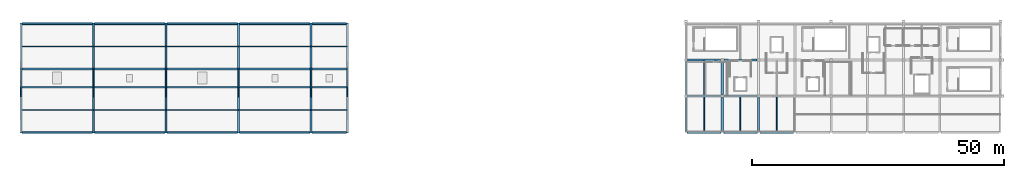
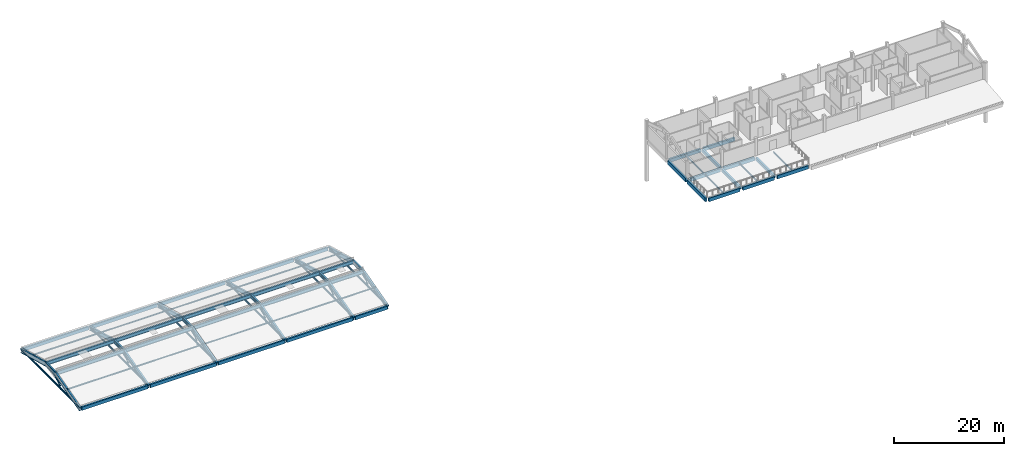
# One storey, part 2 of 8: 54 beams, 28 members.
"""IFC4 building model written with IfcOpenShell, lengths in metres."""

from ifc_helpers import new_model, si_unit, direction, frame, origin, origin_2d, place, context, subcontext, project, spatial, rectangle, hollow_circle, i_section, extrude, material, material_profile, profile_set, type_object, element, save


model = new_model("IFC4")

# Units and contexts
model_context = context("Model", 3, precision=1e-05, world=origin(), true_north=direction((0.0, 1.0)))
body_context = subcontext(model_context, "Body", "Model", "MODEL_VIEW")
ifc_project = project(units=[si_unit("LENGTHUNIT", "METRE"), si_unit("AREAUNIT", "SQUARE_METRE"), si_unit("VOLUMEUNIT", "CUBIC_METRE"), si_unit("PLANEANGLEUNIT", "RADIAN"), si_unit("MASSUNIT", "GRAM", prefix="KILO")], contexts=[model_context])

# Site, building, storey
site_placement = place(None, origin())
site = spatial("IfcSite", under=ifc_project, at=site_placement, CompositionType="ELEMENT")
building_placement = place(site_placement, origin())
building = spatial("IfcBuilding", under=site, at=building_placement, Name="Cendralis Lancet Convention Centre", CompositionType="ELEMENT")
storey_placement = place(building_placement, frame((0.0, 0.0, 24.60009765625)))
storey = spatial("IfcBuildingStorey", under=building, at=storey_placement, Name="L05", CompositionType="ELEMENT", Elevation=24.60009765625)

# Beams
ifc_material_1 = material(Name="Concrete G35 (C35/45)", Category="concrete")
ifc_material_profile_1 = material_profile(ifc_material_1, rectangle(XDim=0.39990234375, YDim=0.75, at=origin_2d()), Name="RCB 400x750")
ifc_profile_set_1 = profile_set([ifc_material_profile_1], Name="Concrete G35 (C35/45)")
beam_type_1 = type_object("IfcBeamType", Name="STR-BM-BG12", PredefinedType="BEAM", material=ifc_profile_set_1)
for number, where, z_axis, x_axis, name in (
    (1, (146.699951171875, 21.60009765625, -0.625), (1.0, 0.0, 0.0), (0.0, 1.0, 0.0), "L05 Beam BG12 #0602"),
    (2, (153.89990234375, 21.60009765625, -0.625), (1.0, 0.0, 0.0), (0.0, 1.0, 0.0), "L05 Beam BG12 #0603"),
    (3, (146.699951171875, 28.800048828125, -0.625), (1.0, 0.0, 0.0), (0.0, 1.0, 0.0), "L05 Beam BG12 #0610"),
    (4, (153.89990234375, 28.800048828125, -0.625), (1.0, 0.0, 0.0), (0.0, 1.0, 0.0), "L05 Beam BG12 #0611"),
):
    element("IfcBeam", number, at=place(storey_placement, frame(where, z_axis=z_axis, x_axis=x_axis)), inside=storey, type_object=beam_type_1, Name=name, PredefinedType="BEAM", context=body_context, shape_type="SweptSolid", body=[
        extrude(rectangle(XDim=0.39990234375, YDim=0.75, at=origin_2d()), origin(), (0.0, 0.0, 1.0), 6.60009765625),
    ])
ifc_material_profile_2 = material_profile(ifc_material_1, rectangle(XDim=0.39990234375, YDim=0.64990234375, at=origin_2d()), Name="RCB 400x650")
ifc_profile_set_2 = profile_set([ifc_material_profile_2], Name="Concrete G35 (C35/45)")
beam_type_2 = type_object("IfcBeamType", Name="STR-BM-BG14", PredefinedType="BEAM", material=ifc_profile_set_2)
for number, where, z_axis, x_axis, name in (
    (5, (153.60009765625, 14.699951171875, -0.5751953125), (0.0, 1.0, 0.0), (-1.0, 0.0, 0.0), "L05 Beam BG14 #0629"),
    (6, (153.60009765625, 21.89990234375, -0.5751953125), (0.0, 1.0, 0.0), (-1.0, 0.0, 0.0), "L05 Beam BG14 #0630"),
    (7, (160.800048828125, 14.699951171875, -0.5751953125), (0.0, 1.0, 0.0), (-1.0, 0.0, 0.0), "L05 Beam BG14 #0631"),
):
    element("IfcBeam", number, at=place(storey_placement, frame(where, z_axis=z_axis, x_axis=x_axis)), inside=storey, type_object=beam_type_2, Name=name, PredefinedType="BEAM", context=body_context, shape_type="SweptSolid", body=[
        extrude(rectangle(XDim=0.39990234375, YDim=0.64990234375, at=origin_2d()), origin(), (0.0, 0.0, 1.0), 6.60009765625),
    ])
ifc_material_2 = material(Name="Steel S355", Category="steel")
ifc_material_profile_3 = material_profile(ifc_material_2, i_section(OverallWidth=0.35009765625, OverallDepth=0.89990234375, WebThickness=0.01611328125, FlangeThickness=0.028076171875, at=origin_2d()), Name="PG 900x350")
ifc_profile_set_3 = profile_set([ifc_material_profile_3], Name="Steel S355")
beam_type_3 = type_object("IfcBeamType", Name="STR-BM-SG05", PredefinedType="BEAM", material=ifc_profile_set_3)
for number, where, z_axis, x_axis, name in (
    (8, (14.39990234375, 14.39990234375, -0.9501953125), (0.0, 0.964882111059, 0.262683291737), (-1.0, 0.0, 0.0), "Summit Pavilion Gothic Rafter SG05 S-01"),
    (9, (14.39990234375, 27.0, 1.5), (0.0, 0.964882111059, -0.262683291737), (-1.0, 0.0, 0.0), "Summit Pavilion Gothic Rafter SG05 N-01"),
    (10, (79.199951171875, 14.39990234375, -0.9501953125), (0.0, 0.964882111059, 0.262683291737), (-1.0, 0.0, 0.0), "Summit Pavilion Gothic Rafter SG05 S-06"),
    (11, (79.199951171875, 27.0, 1.5), (0.0, 0.964882111059, -0.262683291737), (-1.0, 0.0, 0.0), "Summit Pavilion Gothic Rafter SG05 N-06"),
):
    element("IfcBeam", number, at=place(storey_placement, frame(where, z_axis=z_axis, x_axis=x_axis)), inside=storey, type_object=beam_type_3, Name=name, PredefinedType="BEAM", context=body_context, shape_type="SweptSolid", body=[
        extrude(i_section(OverallWidth=0.35009765625, OverallDepth=0.89990234375, WebThickness=0.01611328125, FlangeThickness=0.028076171875, at=origin_2d()), origin(), (0.0, 0.0, 1.0), 9.32763671875),
    ])
ifc_material_profile_4 = material_profile(ifc_material_2, i_section(OverallWidth=0.35009765625, OverallDepth=0.89990234375, WebThickness=0.01611328125, FlangeThickness=0.028076171875, at=origin_2d()), Name="PG 900x350")
ifc_profile_set_4 = profile_set([ifc_material_profile_4], Name="Steel S355")
beam_type_4 = type_object("IfcBeamType", Name="STR-BM-SG05-INT", PredefinedType="BEAM", material=ifc_profile_set_4)
for number, where, z_axis, x_axis, name in (
    (12, (28.800048828125, 14.39990234375, -0.9501953125), (0.0, 0.964882111059, 0.262683291737), (-1.0, 0.0, 0.0), "Summit Pavilion Gothic Rafter SG05 S-02"),
    (13, (28.800048828125, 27.0, 1.5), (0.0, 0.964882111059, -0.262683291737), (-1.0, 0.0, 0.0), "Summit Pavilion Gothic Rafter SG05 N-02"),
    (14, (43.199951171875, 14.39990234375, -0.9501953125), (0.0, 0.964882111059, 0.262683291737), (-1.0, 0.0, 0.0), "Summit Pavilion Gothic Rafter SG05 S-03"),
    (15, (43.199951171875, 27.0, 1.5), (0.0, 0.964882111059, -0.262683291737), (-1.0, 0.0, 0.0), "Summit Pavilion Gothic Rafter SG05 N-03"),
    (16, (57.60009765625, 14.39990234375, -0.9501953125), (0.0, 0.964882111059, 0.262683291737), (-1.0, 0.0, 0.0), "Summit Pavilion Gothic Rafter SG05 S-04"),
    (17, (57.60009765625, 27.0, 1.5), (0.0, 0.964882111059, -0.262683291737), (-1.0, 0.0, 0.0), "Summit Pavilion Gothic Rafter SG05 N-04"),
    (18, (72.0, 14.39990234375, -0.9501953125), (0.0, 0.964882111059, 0.262683291737), (-1.0, 0.0, 0.0), "Summit Pavilion Gothic Rafter SG05 S-05"),
    (19, (72.0, 27.0, 1.5), (0.0, 0.964882111059, -0.262683291737), (-1.0, 0.0, 0.0), "Summit Pavilion Gothic Rafter SG05 N-05"),
):
    element("IfcBeam", number, at=place(storey_placement, frame(where, z_axis=z_axis, x_axis=x_axis)), inside=storey, type_object=beam_type_4, Name=name, PredefinedType="BEAM", context=body_context, shape_type="SweptSolid", body=[
        extrude(i_section(OverallWidth=0.35009765625, OverallDepth=0.89990234375, WebThickness=0.01611328125, FlangeThickness=0.028076171875, at=origin_2d()), origin(), (0.0, 0.0, 1.0), 9.32763671875),
    ])
ifc_material_profile_5 = material_profile(ifc_material_2, i_section(OverallWidth=0.320068359375, OverallDepth=0.800048828125, WebThickness=0.013916015625, FlangeThickness=0.02490234375, at=origin_2d()), Name="PG 800x320")
ifc_profile_set_5 = profile_set([ifc_material_profile_5], Name="Steel S355")
beam_type_5 = type_object("IfcBeamType", Name="STR-BM-SG06", PredefinedType="BEAM", material=ifc_profile_set_5)
beam_1_placement = place(storey_placement, frame((14.39990234375, 23.39990234375, 1.5498046875), z_axis=(1.0, 0.0, 0.0), x_axis=(0.0, 1.0, 0.0)))
element("IfcBeam", 20, at=beam_1_placement, inside=storey, type_object=beam_type_5, Name="L05 Beam SG06 #1802", PredefinedType="BEAM", context=body_context, shape_type="SweptSolid", body=[
    extrude(i_section(OverallWidth=0.320068359375, OverallDepth=0.800048828125, WebThickness=0.013916015625, FlangeThickness=0.02490234375, at=origin_2d()), origin(), (0.0, 0.0, 1.0), 14.400146484375),
])
beam_2_placement = place(storey_placement, frame((28.800048828125, 23.39990234375, 1.5498046875), z_axis=(1.0, 0.0, 0.0), x_axis=(0.0, 1.0, 0.0)))
element("IfcBeam", 21, at=beam_2_placement, inside=storey, type_object=beam_type_5, Name="L05 Beam SG06 #1803", PredefinedType="BEAM", context=body_context, shape_type="SweptSolid", body=[
    extrude(i_section(OverallWidth=0.320068359375, OverallDepth=0.800048828125, WebThickness=0.013916015625, FlangeThickness=0.02490234375, at=origin_2d()), origin(), (0.0, 0.0, 1.0), 14.39990234375),
])
beam_3_placement = place(storey_placement, frame((43.199951171875, 23.39990234375, 1.5498046875), z_axis=(1.0, 0.0, 0.0), x_axis=(0.0, 1.0, 0.0)))
element("IfcBeam", 22, at=beam_3_placement, inside=storey, type_object=beam_type_5, Name="L05 Beam SG06 #1804", PredefinedType="BEAM", context=body_context, shape_type="SweptSolid", body=[
    extrude(i_section(OverallWidth=0.320068359375, OverallDepth=0.800048828125, WebThickness=0.013916015625, FlangeThickness=0.02490234375, at=origin_2d()), origin(), (0.0, 0.0, 1.0), 14.400146484375),
])
beam_4_placement = place(storey_placement, frame((57.60009765625, 23.39990234375, 1.5498046875), z_axis=(1.0, 0.0, 0.0), x_axis=(0.0, 1.0, 0.0)))
element("IfcBeam", 23, at=beam_4_placement, inside=storey, type_object=beam_type_5, Name="L05 Beam SG06 #1805", PredefinedType="BEAM", context=body_context, shape_type="SweptSolid", body=[
    extrude(i_section(OverallWidth=0.320068359375, OverallDepth=0.800048828125, WebThickness=0.013916015625, FlangeThickness=0.02490234375, at=origin_2d()), origin(), (0.0, 0.0, 1.0), 14.39990234375),
])
beam_5_placement = place(storey_placement, frame((72.0, 23.39990234375, 1.5498046875), z_axis=(1.0, 0.0, 0.0), x_axis=(0.0, 1.0, 0.0)))
element("IfcBeam", 24, at=beam_5_placement, inside=storey, type_object=beam_type_5, Name="L05 Beam SG06 #1806", PredefinedType="BEAM", context=body_context, shape_type="SweptSolid", body=[
    extrude(i_section(OverallWidth=0.320068359375, OverallDepth=0.800048828125, WebThickness=0.013916015625, FlangeThickness=0.02490234375, at=origin_2d()), origin(), (0.0, 0.0, 1.0), 7.199951171875),
])
beam_6_placement = place(storey_placement, frame((14.39990234375, 27.0, 1.5498046875), z_axis=(1.0, 0.0, 0.0), x_axis=(0.0, 1.0, 0.0)))
element("IfcBeam", 25, at=beam_6_placement, inside=storey, type_object=beam_type_5, Name="L05 Beam SG06 #1807", PredefinedType="BEAM", context=body_context, shape_type="SweptSolid", body=[
    extrude(i_section(OverallWidth=0.320068359375, OverallDepth=0.800048828125, WebThickness=0.013916015625, FlangeThickness=0.02490234375, at=origin_2d()), origin(), (0.0, 0.0, 1.0), 14.400146484375),
])
beam_7_placement = place(storey_placement, frame((28.800048828125, 27.0, 1.5498046875), z_axis=(1.0, 0.0, 0.0), x_axis=(0.0, 1.0, 0.0)))
element("IfcBeam", 26, at=beam_7_placement, inside=storey, type_object=beam_type_5, Name="L05 Beam SG06 #1808", PredefinedType="BEAM", context=body_context, shape_type="SweptSolid", body=[
    extrude(i_section(OverallWidth=0.320068359375, OverallDepth=0.800048828125, WebThickness=0.013916015625, FlangeThickness=0.02490234375, at=origin_2d()), origin(), (0.0, 0.0, 1.0), 14.39990234375),
])
beam_8_placement = place(storey_placement, frame((43.199951171875, 27.0, 1.5498046875), z_axis=(1.0, 0.0, 0.0), x_axis=(0.0, 1.0, 0.0)))
element("IfcBeam", 27, at=beam_8_placement, inside=storey, type_object=beam_type_5, Name="L05 Beam SG06 #1809", PredefinedType="BEAM", context=body_context, shape_type="SweptSolid", body=[
    extrude(i_section(OverallWidth=0.320068359375, OverallDepth=0.800048828125, WebThickness=0.013916015625, FlangeThickness=0.02490234375, at=origin_2d()), origin(), (0.0, 0.0, 1.0), 14.400146484375),
])
beam_9_placement = place(storey_placement, frame((57.60009765625, 27.0, 1.5498046875), z_axis=(1.0, 0.0, 0.0), x_axis=(0.0, 1.0, 0.0)))
element("IfcBeam", 28, at=beam_9_placement, inside=storey, type_object=beam_type_5, Name="L05 Beam SG06 #1810", PredefinedType="BEAM", context=body_context, shape_type="SweptSolid", body=[
    extrude(i_section(OverallWidth=0.320068359375, OverallDepth=0.800048828125, WebThickness=0.013916015625, FlangeThickness=0.02490234375, at=origin_2d()), origin(), (0.0, 0.0, 1.0), 14.39990234375),
])
beam_10_placement = place(storey_placement, frame((72.0, 27.0, 1.5498046875), z_axis=(1.0, 0.0, 0.0), x_axis=(0.0, 1.0, 0.0)))
element("IfcBeam", 29, at=beam_10_placement, inside=storey, type_object=beam_type_5, Name="L05 Beam SG06 #1811", PredefinedType="BEAM", context=body_context, shape_type="SweptSolid", body=[
    extrude(i_section(OverallWidth=0.320068359375, OverallDepth=0.800048828125, WebThickness=0.013916015625, FlangeThickness=0.02490234375, at=origin_2d()), origin(), (0.0, 0.0, 1.0), 7.199951171875),
])
for number, where, z_axis, x_axis, name in (
    (30, (28.800048828125, 23.199951171875, 1.5498046875), (0.0, 1.0, 0.0), (-1.0, 0.0, 0.0), "L05 Beam SG06 #1813"),
    (31, (43.199951171875, 23.199951171875, 1.5498046875), (0.0, 1.0, 0.0), (-1.0, 0.0, 0.0), "L05 Beam SG06 #1814"),
    (32, (57.60009765625, 23.199951171875, 1.5498046875), (0.0, 1.0, 0.0), (-1.0, 0.0, 0.0), "L05 Beam SG06 #1815"),
    (33, (72.0, 23.199951171875, 1.5498046875), (0.0, 1.0, 0.0), (-1.0, 0.0, 0.0), "L05 Beam SG06 #1816"),
):
    element("IfcBeam", number, at=place(storey_placement, frame(where, z_axis=z_axis, x_axis=x_axis)), inside=storey, type_object=beam_type_5, Name=name, PredefinedType="BEAM", context=body_context, shape_type="SweptSolid", body=[
        extrude(i_section(OverallWidth=0.320068359375, OverallDepth=0.800048828125, WebThickness=0.013916015625, FlangeThickness=0.02490234375, at=origin_2d()), origin(), (0.0, 0.0, 1.0), 4.0),
    ])
ifc_material_profile_6 = material_profile(ifc_material_2, i_section(OverallWidth=0.320068359375, OverallDepth=0.800048828125, WebThickness=0.013916015625, FlangeThickness=0.02490234375, at=origin_2d()), Name="PG 800x320")
ifc_profile_set_6 = profile_set([ifc_material_profile_6], Name="Steel S355")
beam_type_6 = type_object("IfcBeamType", Name="STR-BM-SG06-EXT", PredefinedType="BEAM", material=ifc_profile_set_6)
for number, where, z_axis, x_axis, name in (
    (34, (14.39990234375, 23.199951171875, 1.5498046875), (0.0, 1.0, 0.0), (-1.0, 0.0, 0.0), "L05 Beam SG06 #1812"),
    (35, (79.199951171875, 23.199951171875, 1.5498046875), (0.0, 1.0, 0.0), (-1.0, 0.0, 0.0), "L05 Beam SG06 #1817"),
):
    element("IfcBeam", number, at=place(storey_placement, frame(where, z_axis=z_axis, x_axis=x_axis)), inside=storey, type_object=beam_type_6, Name=name, PredefinedType="BEAM", context=body_context, shape_type="SweptSolid", body=[
        extrude(i_section(OverallWidth=0.320068359375, OverallDepth=0.800048828125, WebThickness=0.013916015625, FlangeThickness=0.02490234375, at=origin_2d()), origin(), (0.0, 0.0, 1.0), 4.0),
    ])
ifc_material_profile_7 = material_profile(ifc_material_2, i_section(OverallWidth=0.159912109375, OverallDepth=0.330078125, WebThickness=0.007568359375, FlangeThickness=0.011474609375, FilletRadius=0.01806640625, at=origin_2d()), Name="IPE 330")
ifc_profile_set_7 = profile_set([ifc_material_profile_7], Name="Steel S355")
beam_type_7 = type_object("IfcBeamType", Name="STR-JS-BJ10", PredefinedType="JOIST", material=ifc_profile_set_7)
beam_11_placement = place(storey_placement, frame((150.0, 14.574951171875, -0.4150390625), z_axis=(0.0, 1.0, 0.0), x_axis=(-1.0, 0.0, 0.0)))
element("IfcBeam", 36, at=beam_11_placement, inside=storey, type_object=beam_type_7, Name="L05 Beam BJ10 #0645", PredefinedType="JOIST", context=body_context, shape_type="SweptSolid", body=[
    extrude(i_section(OverallWidth=0.159912109375, OverallDepth=0.330078125, WebThickness=0.007568359375, FlangeThickness=0.011474609375, FilletRadius=0.01806640625, at=origin_2d()), origin(), (0.0, 0.0, 1.0), 6.824951171875),
])
beam_12_placement = place(storey_placement, frame((150.0, 21.800048828125, -0.4150390625), z_axis=(0.0, 1.0, 0.0), x_axis=(-1.0, 0.0, 0.0)))
element("IfcBeam", 37, at=beam_12_placement, inside=storey, type_object=beam_type_7, Name="L05 Beam BJ10 #0646", PredefinedType="JOIST", context=body_context, shape_type="SweptSolid", body=[
    extrude(i_section(OverallWidth=0.159912109375, OverallDepth=0.330078125, WebThickness=0.007568359375, FlangeThickness=0.011474609375, FilletRadius=0.01806640625, at=origin_2d()), origin(), (0.0, 0.0, 1.0), 6.800048828125),
])
for number, where, z_axis, x_axis, name in (
    (38, (157.199951171875, 14.574951171875, -0.4150390625), (0.0, 1.0, 0.0), (-1.0, 0.0, 0.0), "L05 Beam BJ10 #0647"),
    (39, (164.39990234375, 14.574951171875, -0.4150390625), (0.0, 1.0, 0.0), (-1.0, 0.0, 0.0), "L05 Beam BJ10 #0649"),
):
    element("IfcBeam", number, at=place(storey_placement, frame(where, z_axis=z_axis, x_axis=x_axis)), inside=storey, type_object=beam_type_7, Name=name, PredefinedType="JOIST", context=body_context, shape_type="SweptSolid", body=[
        extrude(i_section(OverallWidth=0.159912109375, OverallDepth=0.330078125, WebThickness=0.007568359375, FlangeThickness=0.011474609375, FilletRadius=0.01806640625, at=origin_2d()), origin(), (0.0, 0.0, 1.0), 6.824951171875),
    ])

# Members
ifc_material_profile_8 = material_profile(ifc_material_2, i_section(OverallWidth=0.110107421875, OverallDepth=0.219970703125, WebThickness=0.005859375, FlangeThickness=0.00927734375, FilletRadius=0.011962890625, at=origin_2d()), Name="IPE 220")
ifc_profile_set_8 = profile_set([ifc_material_profile_8], Name="Steel S355")
member_type_1 = type_object("IfcMemberType", Name="STR-PR-PR03", PredefinedType="PURLIN", material=ifc_profile_set_8)
for number, where, z_axis, x_axis, name in (
    (40, (14.39990234375, 18.89990234375, 0.794921875), (1.0, 0.0, 0.0), (0.0, 1.0, 0.0), "Summit Pavilion Roof Purlin PR03 14-18.9"),
    (41, (14.39990234375, 31.5, 0.794921875), (1.0, 0.0, 0.0), (0.0, 1.0, 0.0), "Summit Pavilion Roof Purlin PR03 14-31.5"),
):
    element("IfcMember", number, at=place(storey_placement, frame(where, z_axis=z_axis, x_axis=x_axis)), inside=storey, type_object=member_type_1, Name=name, PredefinedType="PURLIN", context=body_context, shape_type="SweptSolid", body=[
        extrude(i_section(OverallWidth=0.110107421875, OverallDepth=0.219970703125, WebThickness=0.005859375, FlangeThickness=0.00927734375, FilletRadius=0.011962890625, at=origin_2d()), origin(), (0.0, 0.0, 1.0), 14.400146484375),
    ])
for number, where, z_axis, x_axis, name in (
    (42, (28.800048828125, 18.89990234375, 0.794921875), (1.0, 0.0, 0.0), (0.0, 1.0, 0.0), "Summit Pavilion Roof Purlin PR03 29-18.9"),
    (43, (28.800048828125, 31.5, 0.794921875), (1.0, 0.0, 0.0), (0.0, 1.0, 0.0), "Summit Pavilion Roof Purlin PR03 29-31.5"),
):
    element("IfcMember", number, at=place(storey_placement, frame(where, z_axis=z_axis, x_axis=x_axis)), inside=storey, type_object=member_type_1, Name=name, PredefinedType="PURLIN", context=body_context, shape_type="SweptSolid", body=[
        extrude(i_section(OverallWidth=0.110107421875, OverallDepth=0.219970703125, WebThickness=0.005859375, FlangeThickness=0.00927734375, FilletRadius=0.011962890625, at=origin_2d()), origin(), (0.0, 0.0, 1.0), 14.39990234375),
    ])
for number, where, z_axis, x_axis, name in (
    (44, (43.199951171875, 18.89990234375, 0.794921875), (1.0, 0.0, 0.0), (0.0, 1.0, 0.0), "Summit Pavilion Roof Purlin PR03 43-18.9"),
    (45, (43.199951171875, 31.5, 0.794921875), (1.0, 0.0, 0.0), (0.0, 1.0, 0.0), "Summit Pavilion Roof Purlin PR03 43-31.5"),
):
    element("IfcMember", number, at=place(storey_placement, frame(where, z_axis=z_axis, x_axis=x_axis)), inside=storey, type_object=member_type_1, Name=name, PredefinedType="PURLIN", context=body_context, shape_type="SweptSolid", body=[
        extrude(i_section(OverallWidth=0.110107421875, OverallDepth=0.219970703125, WebThickness=0.005859375, FlangeThickness=0.00927734375, FilletRadius=0.011962890625, at=origin_2d()), origin(), (0.0, 0.0, 1.0), 14.400146484375),
    ])
for number, where, z_axis, x_axis, name in (
    (46, (57.60009765625, 18.89990234375, 0.794921875), (1.0, 0.0, 0.0), (0.0, 1.0, 0.0), "Summit Pavilion Roof Purlin PR03 58-18.9"),
    (47, (57.60009765625, 31.5, 0.794921875), (1.0, 0.0, 0.0), (0.0, 1.0, 0.0), "Summit Pavilion Roof Purlin PR03 58-31.5"),
):
    element("IfcMember", number, at=place(storey_placement, frame(where, z_axis=z_axis, x_axis=x_axis)), inside=storey, type_object=member_type_1, Name=name, PredefinedType="PURLIN", context=body_context, shape_type="SweptSolid", body=[
        extrude(i_section(OverallWidth=0.110107421875, OverallDepth=0.219970703125, WebThickness=0.005859375, FlangeThickness=0.00927734375, FilletRadius=0.011962890625, at=origin_2d()), origin(), (0.0, 0.0, 1.0), 14.39990234375),
    ])
for number, where, z_axis, x_axis, name in (
    (48, (72.0, 18.89990234375, 0.794921875), (1.0, 0.0, 0.0), (0.0, 1.0, 0.0), "Summit Pavilion Roof Purlin PR03 72-18.9"),
    (49, (72.0, 31.5, 0.794921875), (1.0, 0.0, 0.0), (0.0, 1.0, 0.0), "Summit Pavilion Roof Purlin PR03 72-31.5"),
):
    element("IfcMember", number, at=place(storey_placement, frame(where, z_axis=z_axis, x_axis=x_axis)), inside=storey, type_object=member_type_1, Name=name, PredefinedType="PURLIN", context=body_context, shape_type="SweptSolid", body=[
        extrude(i_section(OverallWidth=0.110107421875, OverallDepth=0.219970703125, WebThickness=0.005859375, FlangeThickness=0.00927734375, FilletRadius=0.011962890625, at=origin_2d()), origin(), (0.0, 0.0, 1.0), 7.199951171875),
    ])

# Beams
ifc_material_3 = material(Name="Concrete G40 (C40/50)", Category="concrete")
ifc_material_profile_9 = material_profile(ifc_material_3, rectangle(XDim=0.35009765625, YDim=0.75, at=origin_2d()), Name="RCB 350x750")
ifc_profile_set_9 = profile_set([ifc_material_profile_9], Name="Concrete G40 (C40/50)")
beam_type_8 = type_object("IfcBeamType", Name="STR-SP-SP01", PredefinedType="SPANDREL", material=ifc_profile_set_9)
for number, where, z_axis, x_axis, name in (
    (50, (146.699951171875, 14.39990234375, -0.625), (1.0, 0.0, 0.0), (0.0, 1.0, 0.0), "L05 Beam SP01 #0599"),
    (51, (153.89990234375, 14.39990234375, -0.625), (1.0, 0.0, 0.0), (0.0, 1.0, 0.0), "L05 Beam SP01 #0600"),
):
    element("IfcBeam", number, at=place(storey_placement, frame(where, z_axis=z_axis, x_axis=x_axis)), inside=storey, type_object=beam_type_8, Name=name, PredefinedType="SPANDREL", context=body_context, shape_type="SweptSolid", body=[
        extrude(rectangle(XDim=0.35009765625, YDim=0.75, at=origin_2d()), origin(), (0.0, 0.0, 1.0), 6.60009765625),
    ])
beam_13_placement = place(storey_placement, frame((161.10009765625, 14.39990234375, -0.625), z_axis=(1.0, 0.0, 0.0), x_axis=(0.0, 1.0, 0.0)))
element("IfcBeam", 52, at=beam_13_placement, inside=storey, type_object=beam_type_8, Name="L05 Beam SP01 #0601", PredefinedType="SPANDREL", context=body_context, shape_type="SweptSolid", body=[
    extrude(rectangle(XDim=0.35009765625, YDim=0.75, at=origin_2d()), origin(), (0.0, 0.0, 1.0), 6.599853515625),
])
beam_14_placement = place(storey_placement, frame((14.625, 14.39990234375, -0.875), z_axis=(1.0, 0.0, 0.0), x_axis=(0.0, 1.0, 0.0)))
element("IfcBeam", 53, at=beam_14_placement, inside=storey, type_object=beam_type_8, Name="L05 Beam SP01 #1792", PredefinedType="SPANDREL", context=body_context, shape_type="SweptSolid", body=[
    extrude(rectangle(XDim=0.35009765625, YDim=0.75, at=origin_2d()), origin(), (0.0, 0.0, 1.0), 13.949951171875),
])
beam_15_placement = place(storey_placement, frame((29.02490234375, 14.39990234375, -0.875), z_axis=(1.0, 0.0, 0.0), x_axis=(0.0, 1.0, 0.0)))
element("IfcBeam", 54, at=beam_15_placement, inside=storey, type_object=beam_type_8, Name="L05 Beam SP01 #1793", PredefinedType="SPANDREL", context=body_context, shape_type="SweptSolid", body=[
    extrude(rectangle(XDim=0.35009765625, YDim=0.75, at=origin_2d()), origin(), (0.0, 0.0, 1.0), 13.9501953125),
])
for number, where, z_axis, x_axis, name in (
    (55, (43.425048828125, 14.39990234375, -0.875), (1.0, 0.0, 0.0), (0.0, 1.0, 0.0), "L05 Beam SP01 #1794"),
    (56, (57.824951171875, 14.39990234375, -0.875), (1.0, 0.0, 0.0), (0.0, 1.0, 0.0), "L05 Beam SP01 #1795"),
):
    element("IfcBeam", number, at=place(storey_placement, frame(where, z_axis=z_axis, x_axis=x_axis)), inside=storey, type_object=beam_type_8, Name=name, PredefinedType="SPANDREL", context=body_context, shape_type="SweptSolid", body=[
        extrude(rectangle(XDim=0.35009765625, YDim=0.75, at=origin_2d()), origin(), (0.0, 0.0, 1.0), 13.949951171875),
    ])
beam_16_placement = place(storey_placement, frame((72.22509765625, 14.39990234375, -0.875), z_axis=(1.0, 0.0, 0.0), x_axis=(0.0, 1.0, 0.0)))
element("IfcBeam", 57, at=beam_16_placement, inside=storey, type_object=beam_type_8, Name="L05 Beam SP01 #1796", PredefinedType="SPANDREL", context=body_context, shape_type="SweptSolid", body=[
    extrude(rectangle(XDim=0.35009765625, YDim=0.75, at=origin_2d()), origin(), (0.0, 0.0, 1.0), 6.75),
])
beam_17_placement = place(storey_placement, frame((14.625, 36.0, -0.875), z_axis=(1.0, 0.0, 0.0), x_axis=(0.0, 1.0, 0.0)))
element("IfcBeam", 58, at=beam_17_placement, inside=storey, type_object=beam_type_8, Name="L05 Beam SP01 #1797", PredefinedType="SPANDREL", context=body_context, shape_type="SweptSolid", body=[
    extrude(rectangle(XDim=0.35009765625, YDim=0.75, at=origin_2d()), origin(), (0.0, 0.0, 1.0), 13.949951171875),
])
beam_18_placement = place(storey_placement, frame((29.02490234375, 36.0, -0.875), z_axis=(1.0, 0.0, 0.0), x_axis=(0.0, 1.0, 0.0)))
element("IfcBeam", 59, at=beam_18_placement, inside=storey, type_object=beam_type_8, Name="L05 Beam SP01 #1798", PredefinedType="SPANDREL", context=body_context, shape_type="SweptSolid", body=[
    extrude(rectangle(XDim=0.35009765625, YDim=0.75, at=origin_2d()), origin(), (0.0, 0.0, 1.0), 13.9501953125),
])
for number, where, z_axis, x_axis, name in (
    (60, (43.425048828125, 36.0, -0.875), (1.0, 0.0, 0.0), (0.0, 1.0, 0.0), "L05 Beam SP01 #1799"),
    (61, (57.824951171875, 36.0, -0.875), (1.0, 0.0, 0.0), (0.0, 1.0, 0.0), "L05 Beam SP01 #1800"),
):
    element("IfcBeam", number, at=place(storey_placement, frame(where, z_axis=z_axis, x_axis=x_axis)), inside=storey, type_object=beam_type_8, Name=name, PredefinedType="SPANDREL", context=body_context, shape_type="SweptSolid", body=[
        extrude(rectangle(XDim=0.35009765625, YDim=0.75, at=origin_2d()), origin(), (0.0, 0.0, 1.0), 13.949951171875),
    ])
beam_19_placement = place(storey_placement, frame((72.22509765625, 36.0, -0.875), z_axis=(1.0, 0.0, 0.0), x_axis=(0.0, 1.0, 0.0)))
element("IfcBeam", 62, at=beam_19_placement, inside=storey, type_object=beam_type_8, Name="L05 Beam SP01 #1801", PredefinedType="SPANDREL", context=body_context, shape_type="SweptSolid", body=[
    extrude(rectangle(XDim=0.35009765625, YDim=0.75, at=origin_2d()), origin(), (0.0, 0.0, 1.0), 6.75),
])
ifc_material_profile_10 = material_profile(ifc_material_3, rectangle(XDim=0.39990234375, YDim=0.85009765625, at=origin_2d()), Name="RCB 400x850")
ifc_profile_set_10 = profile_set([ifc_material_profile_10], Name="Concrete G40 (C40/50)")
beam_type_9 = type_object("IfcBeamType", Name="STR-SP-SP02", PredefinedType="SPANDREL", material=ifc_profile_set_10)
for number, where, z_axis, x_axis, name in (
    (63, (146.39990234375, 14.699951171875, -0.675048828125), (0.0, 1.0, 0.0), (-1.0, 0.0, 0.0), "L05 Beam SP02 #0626"),
    (64, (146.39990234375, 21.89990234375, -0.675048828125), (0.0, 1.0, 0.0), (-1.0, 0.0, 0.0), "L05 Beam SP02 #0627"),
):
    element("IfcBeam", number, at=place(storey_placement, frame(where, z_axis=z_axis, x_axis=x_axis)), inside=storey, type_object=beam_type_9, Name=name, PredefinedType="SPANDREL", context=body_context, shape_type="SweptSolid", body=[
        extrude(rectangle(XDim=0.39990234375, YDim=0.85009765625, at=origin_2d()), origin(), (0.0, 0.0, 1.0), 6.60009765625),
    ])

# Members
ifc_material_profile_11 = material_profile(ifc_material_2, hollow_circle(Radius=0.177734375, WallThickness=0.01611328125, at=origin_2d()), Name="CHS 355.6x16.0")
ifc_profile_set_11 = profile_set([ifc_material_profile_11], Name="Steel S355")
member_type_2 = type_object("IfcMemberType", Name="STR-TR-TC02", PredefinedType="CHORD", material=ifc_profile_set_11)
for number, where, z_axis, x_axis, name in (
    (65, (14.39990234375, 14.39990234375, -0.68017578125), (0.0, 1.0, 0.0), (-1.0, 0.0, 0.0), "Summit Pavilion Tie Chord TC02 #01"),
    (66, (79.199951171875, 14.39990234375, -0.68017578125), (0.0, 1.0, 0.0), (-1.0, 0.0, 0.0), "Summit Pavilion Tie Chord TC02 #06"),
):
    element("IfcMember", number, at=place(storey_placement, frame(where, z_axis=z_axis, x_axis=x_axis)), inside=storey, type_object=member_type_2, Name=name, PredefinedType="CHORD", context=body_context, shape_type="SweptSolid", body=[
        extrude(hollow_circle(Radius=0.177734375, WallThickness=0.01611328125, at=origin_2d()), origin(), (0.0, 0.0, 1.0), 21.60009765625),
    ])
ifc_material_profile_12 = material_profile(ifc_material_2, hollow_circle(Radius=0.177734375, WallThickness=0.01611328125, at=origin_2d()), Name="CHS 355.6x16.0")
ifc_profile_set_12 = profile_set([ifc_material_profile_12], Name="Steel S355")
member_type_3 = type_object("IfcMemberType", Name="STR-TR-TC02-INT", PredefinedType="CHORD", material=ifc_profile_set_12)
for number, where, z_axis, x_axis, name in (
    (67, (28.800048828125, 14.39990234375, -0.68017578125), (0.0, 1.0, 0.0), (-1.0, 0.0, 0.0), "Summit Pavilion Tie Chord TC02 #02"),
    (68, (43.199951171875, 14.39990234375, -0.68017578125), (0.0, 1.0, 0.0), (-1.0, 0.0, 0.0), "Summit Pavilion Tie Chord TC02 #03"),
    (69, (57.60009765625, 14.39990234375, -0.68017578125), (0.0, 1.0, 0.0), (-1.0, 0.0, 0.0), "Summit Pavilion Tie Chord TC02 #04"),
    (70, (72.0, 14.39990234375, -0.68017578125), (0.0, 1.0, 0.0), (-1.0, 0.0, 0.0), "Summit Pavilion Tie Chord TC02 #05"),
):
    element("IfcMember", number, at=place(storey_placement, frame(where, z_axis=z_axis, x_axis=x_axis)), inside=storey, type_object=member_type_3, Name=name, PredefinedType="CHORD", context=body_context, shape_type="SweptSolid", body=[
        extrude(hollow_circle(Radius=0.177734375, WallThickness=0.01611328125, at=origin_2d()), origin(), (0.0, 0.0, 1.0), 21.60009765625),
    ])
ifc_material_profile_13 = material_profile(ifc_material_2, hollow_circle(Radius=0.096923828125, WallThickness=0.008056640625, at=origin_2d()), Name="CHS 193.7x8.0")
ifc_profile_set_13 = profile_set([ifc_material_profile_13], Name="Steel S355")
member_type_4 = type_object("IfcMemberType", Name="STR-TR-WD02", PredefinedType="BRACE", material=ifc_profile_set_13)
for number, where, z_axis, x_axis, name in (
    (71, (14.39990234375, 21.60009765625, -0.150146484375), (0.0, 0.931996763482, 0.362466595509), (-1.0, 0.0, 0.0), "Summit Pavilion Portal Brace WD02 N-01"),
    (72, (79.199951171875, 21.60009765625, -0.150146484375), (0.0, 0.931996763482, 0.362466595509), (-1.0, 0.0, 0.0), "Summit Pavilion Portal Brace WD02 N-06"),
):
    element("IfcMember", number, at=place(storey_placement, frame(where, z_axis=z_axis, x_axis=x_axis)), inside=storey, type_object=member_type_4, Name=name, PredefinedType="BRACE", context=body_context, shape_type="SweptSolid", body=[
        extrude(hollow_circle(Radius=0.096923828125, WallThickness=0.008056640625, at=origin_2d()), origin(), (0.0, 0.0, 1.0), 5.7939453125),
    ])
ifc_material_profile_14 = material_profile(ifc_material_2, hollow_circle(Radius=0.096923828125, WallThickness=0.008056640625, at=origin_2d()), Name="CHS 193.7x8.0")
ifc_profile_set_14 = profile_set([ifc_material_profile_14], Name="Steel S355")
member_type_5 = type_object("IfcMemberType", Name="STR-TR-WD02-INT", PredefinedType="BRACE", material=ifc_profile_set_14)
for number, where, z_axis, x_axis, name in (
    (73, (28.800048828125, 21.60009765625, -0.150146484375), (0.0, 0.931996763482, 0.362466595509), (-1.0, 0.0, 0.0), "Summit Pavilion Portal Brace WD02 N-02"),
    (74, (43.199951171875, 21.60009765625, -0.150146484375), (0.0, 0.931996763482, 0.362466595509), (-1.0, 0.0, 0.0), "Summit Pavilion Portal Brace WD02 N-03"),
    (75, (57.60009765625, 21.60009765625, -0.150146484375), (0.0, 0.931996763482, 0.362466595509), (-1.0, 0.0, 0.0), "Summit Pavilion Portal Brace WD02 N-04"),
    (76, (72.0, 21.60009765625, -0.150146484375), (0.0, 0.931996763482, 0.362466595509), (-1.0, 0.0, 0.0), "Summit Pavilion Portal Brace WD02 N-05"),
):
    element("IfcMember", number, at=place(storey_placement, frame(where, z_axis=z_axis, x_axis=x_axis)), inside=storey, type_object=member_type_5, Name=name, PredefinedType="BRACE", context=body_context, shape_type="SweptSolid", body=[
        extrude(hollow_circle(Radius=0.096923828125, WallThickness=0.008056640625, at=origin_2d()), origin(), (0.0, 0.0, 1.0), 5.7939453125),
    ])
ifc_material_profile_15 = material_profile(ifc_material_2, hollow_circle(Radius=0.109619140625, WallThickness=0.010009765625, at=origin_2d()), Name="CHS 219.1x10.0")
ifc_profile_set_15 = profile_set([ifc_material_profile_15], Name="Steel S355")
member_type_6 = type_object("IfcMemberType", Name="STR-TR-WV02", PredefinedType="POST", material=ifc_profile_set_15)
for number, where, z_axis, x_axis, name in (
    (77, (14.39990234375, 21.60009765625, -1.050048828125), (0.0, 0.514454704863, 0.857517554715), (-1.0, 0.0, 0.0), "Summit Pavilion Portal Strut WV02 S-01"),
    (78, (79.199951171875, 21.60009765625, -1.050048828125), (0.0, 0.514454704863, 0.857517554715), (-1.0, 0.0, 0.0), "Summit Pavilion Portal Strut WV02 S-06"),
):
    element("IfcMember", number, at=place(storey_placement, frame(where, z_axis=z_axis, x_axis=x_axis)), inside=storey, type_object=member_type_6, Name=name, PredefinedType="POST", context=body_context, shape_type="SweptSolid", body=[
        extrude(hollow_circle(Radius=0.109619140625, WallThickness=0.010009765625, at=origin_2d()), origin(), (0.0, 0.0, 1.0), 3.49853515625),
    ])
ifc_material_profile_16 = material_profile(ifc_material_2, hollow_circle(Radius=0.109619140625, WallThickness=0.010009765625, at=origin_2d()), Name="CHS 219.1x10.0")
ifc_profile_set_16 = profile_set([ifc_material_profile_16], Name="Steel S355")
member_type_7 = type_object("IfcMemberType", Name="STR-TR-WV02-INT", PredefinedType="POST", material=ifc_profile_set_16)
for number, where, z_axis, x_axis, name in (
    (79, (28.800048828125, 21.60009765625, -1.050048828125), (0.0, 0.514454704863, 0.857517554715), (-1.0, 0.0, 0.0), "Summit Pavilion Portal Strut WV02 S-02"),
    (80, (43.199951171875, 21.60009765625, -1.050048828125), (0.0, 0.514454704863, 0.857517554715), (-1.0, 0.0, 0.0), "Summit Pavilion Portal Strut WV02 S-03"),
    (81, (57.60009765625, 21.60009765625, -1.050048828125), (0.0, 0.514454704863, 0.857517554715), (-1.0, 0.0, 0.0), "Summit Pavilion Portal Strut WV02 S-04"),
    (82, (72.0, 21.60009765625, -1.050048828125), (0.0, 0.514454704863, 0.857517554715), (-1.0, 0.0, 0.0), "Summit Pavilion Portal Strut WV02 S-05"),
):
    element("IfcMember", number, at=place(storey_placement, frame(where, z_axis=z_axis, x_axis=x_axis)), inside=storey, type_object=member_type_7, Name=name, PredefinedType="POST", context=body_context, shape_type="SweptSolid", body=[
        extrude(hollow_circle(Radius=0.109619140625, WallThickness=0.010009765625, at=origin_2d()), origin(), (0.0, 0.0, 1.0), 3.49853515625),
    ])

save(model, "model.ifc")
